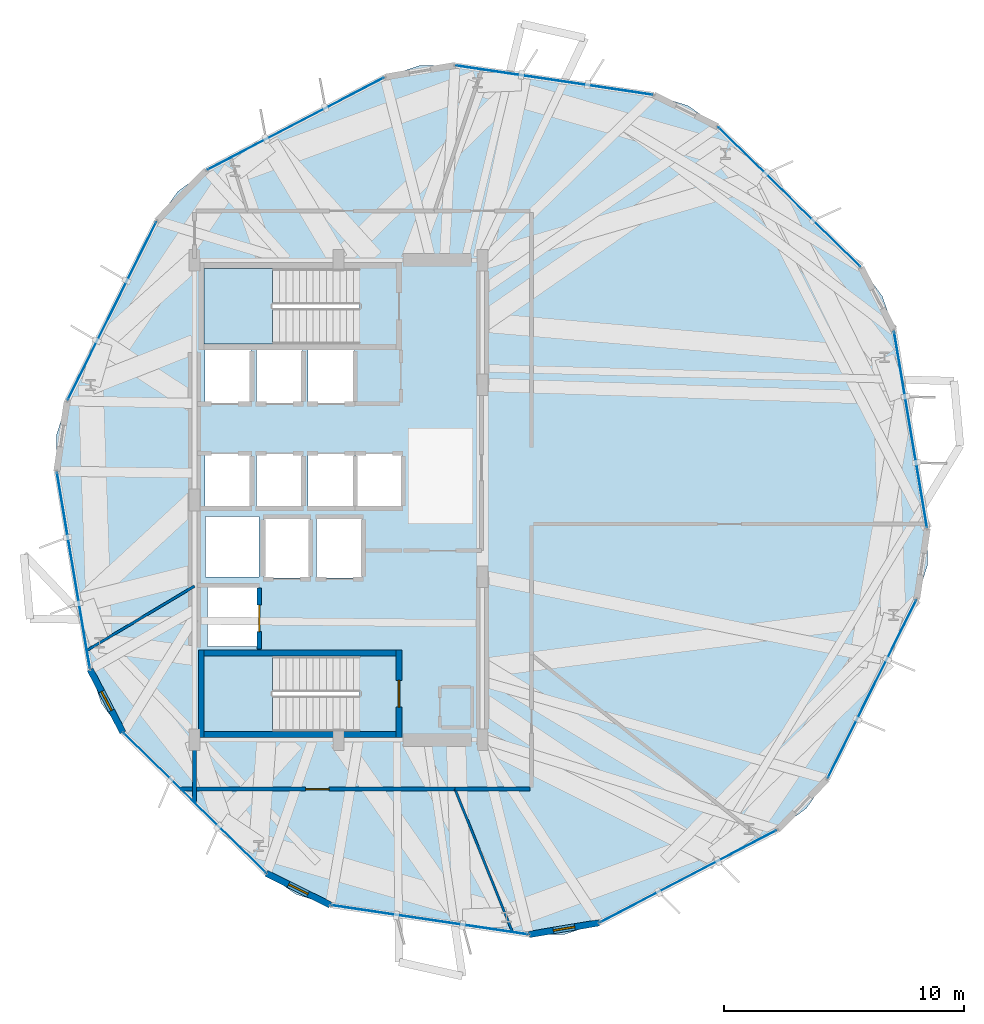
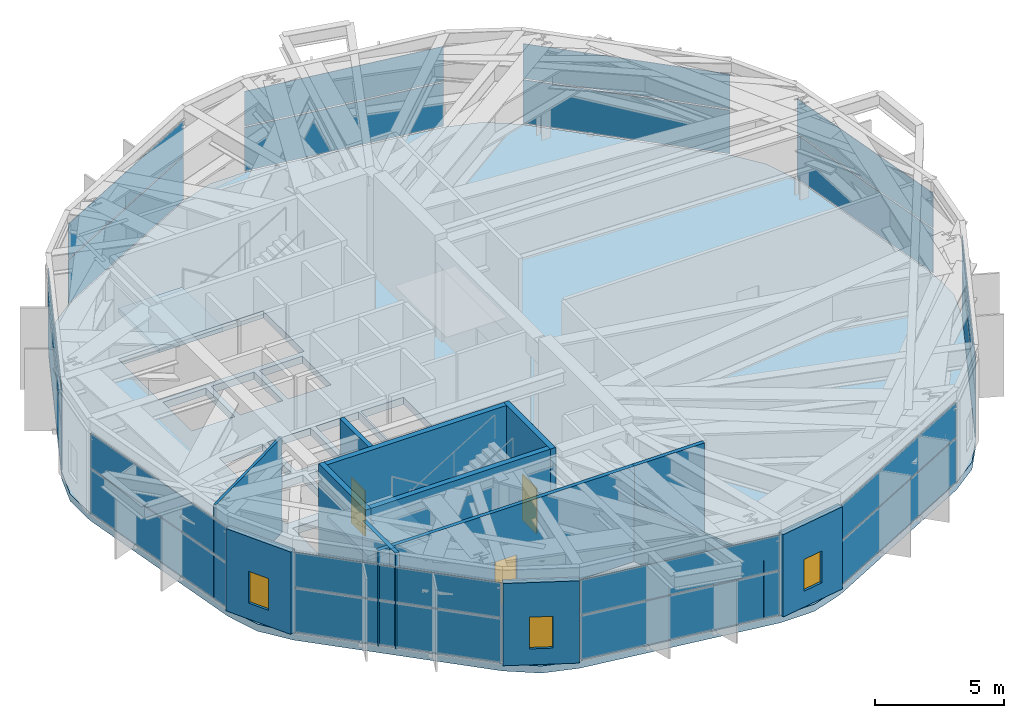
# One storey, part 21 of 27: 20 plates, 13 walls, 3 doors, 3 slabs, 3 windows, 6 openings, 12 elements without a shape of their own.
"""IFC4 building model written with IfcOpenShell, lengths in metres."""

from ifc_helpers import new_model, si_unit, direction, frame, frame_2d, origin, origin_2d, place, context, subcontext, project, spatial, polyline, rectangle, outline, extrude, material, layer, layer_set, type_object, element, fill, aggregate, save


model = new_model("IFC4")

# Units and contexts
model_context = context("Model", 3, precision=1e-05, world=origin(), true_north=direction((0.0, 1.0)))
body_context = subcontext(model_context, "Body", "Model", "MODEL_VIEW")
ifc_project = project(units=[si_unit("LENGTHUNIT", "METRE"), si_unit("AREAUNIT", "SQUARE_METRE"), si_unit("VOLUMEUNIT", "CUBIC_METRE"), si_unit("PLANEANGLEUNIT", "RADIAN"), si_unit("MASSUNIT", "GRAM", prefix="KILO")], contexts=[model_context])

# Site, building, storey
site_placement = place(None, origin())
site = spatial("IfcSite", under=ifc_project, at=site_placement, CompositionType="ELEMENT")
building_placement = place(site_placement, origin())
building = spatial("IfcBuilding", under=site, at=building_placement, Name="Soratama Intermodal Tower", CompositionType="ELEMENT")
storey_placement = place(building_placement, frame((0.0, 0.0, 134.199951171875)))
storey = spatial("IfcBuildingStorey", under=building, at=storey_placement, Name="L32", CompositionType="ELEMENT", Elevation=134.199951171875)

# Curtain wall, plates
ifc_material_1 = material(Name="Double-glazed aluminium curtain wall", Category="aluminium")
ifc_layer_1 = layer(ifc_material_1, 0.159912109375)
ifc_layer_set_1 = layer_set([ifc_layer_1], Name="Double-glazed aluminium curtain wall")
curtain_wall_type = type_object("IfcCurtainWallType", Name="CW-SYS-3", PredefinedType="NOTDEFINED", material=ifc_layer_set_1)
curtain_wall_1_placement = place(storey_placement, origin())
curtain_wall_1 = element("IfcCurtainWall", 1, at=curtain_wall_1_placement, inside=storey, type_object=curtain_wall_type, Name="L32 Faceted Curtain Wall F01", PredefinedType="NOTDEFINED")
ifc_material_2 = material(Name="Low-E laminated double glazing", Category="glass")
ifc_layer_2 = layer(ifc_material_2, 0.028076171875)
ifc_layer_set_2 = layer_set([ifc_layer_2], Name="Low-E laminated double glazing")
plate_type = type_object("IfcPlateType", Name="PT-CWP-3", PredefinedType="CURTAIN_PANEL", material=ifc_layer_set_2)
plate_1_placement = place(storey_placement, frame((57.389892578125, 37.625732421875, 0.06005859375), z_axis=(0.0, 0.0, 1.0), x_axis=(-0.713737137609, 0.700413662344, 0.0)))
plate_1 = element("IfcPlate", 2, at=plate_1_placement, type_object=plate_type, Name="CW-3 panel 1.1", PredefinedType="CURTAIN_PANEL", context=body_context, shape_type="SweptSolid", body=[
    extrude(rectangle(XDim=8.256103515625, YDim=0.028076171875, at=origin_2d()), origin(), (0.0, 0.0, 1.0), 2.06005859375),
])
plate_2_placement = place(storey_placement, frame((57.389892578125, 37.625732421875, 2.18017578125), z_axis=(0.0, 0.0, 1.0), x_axis=(-0.713737137609, 0.700413662344, 0.0)))
plate_2 = element("IfcPlate", 3, at=plate_2_placement, type_object=plate_type, Name="CW-3 panel 1.2", PredefinedType="CURTAIN_PANEL", context=body_context, shape_type="SweptSolid", body=[
    extrude(rectangle(XDim=8.256103515625, YDim=0.028076171875, at=origin_2d()), origin(), (0.0, 0.0, 1.0), 1.638916015625),
])
aggregate(curtain_wall_1, [plate_1, plate_2])

curtain_wall_2_placement = place(storey_placement, origin())
curtain_wall_2 = element("IfcCurtainWall", 4, at=curtain_wall_2_placement, inside=storey, type_object=curtain_wall_type, Name="L32 Faceted Curtain Wall F02", PredefinedType="NOTDEFINED")
plate_3_placement = place(storey_placement, frame((47.6025390625, 42.4970703125, 0.06005859375), z_axis=(0.0, 0.0, 1.0), x_axis=(-0.989118620825, 0.147120202345, 0.0)))
plate_3 = element("IfcPlate", 5, at=plate_3_placement, type_object=plate_type, Name="CW-3 panel 1.1", PredefinedType="CURTAIN_PANEL", context=body_context, shape_type="SweptSolid", body=[
    extrude(rectangle(XDim=8.256103515625, YDim=0.028076171875, at=origin_2d()), origin(), (0.0, 0.0, 1.0), 2.06005859375),
])
plate_4_placement = place(storey_placement, frame((47.6025390625, 42.4970703125, 2.18017578125), z_axis=(0.0, 0.0, 1.0), x_axis=(-0.989118620825, 0.147120202345, 0.0)))
plate_4 = element("IfcPlate", 6, at=plate_4_placement, type_object=plate_type, Name="CW-3 panel 1.2", PredefinedType="CURTAIN_PANEL", context=body_context, shape_type="SweptSolid", body=[
    extrude(rectangle(XDim=8.256103515625, YDim=0.028076171875, at=origin_2d()), origin(), (0.0, 0.0, 1.0), 1.638916015625),
])
aggregate(curtain_wall_2, [plate_3, plate_4])

curtain_wall_3_placement = place(storey_placement, origin())
curtain_wall_3 = element("IfcCurtainWall", 7, at=curtain_wall_3_placement, inside=storey, type_object=curtain_wall_type, Name="L32 Faceted Curtain Wall F03", PredefinedType="NOTDEFINED")
plate_5_placement = place(storey_placement, frame((36.82080078125, 40.685302734375, 0.06005859375), z_axis=(0.0, 0.0, 1.0), x_axis=(-0.886692961323, -0.462358726899, 0.0)))
plate_5 = element("IfcPlate", 8, at=plate_5_placement, type_object=plate_type, Name="CW-3 panel 1.1", PredefinedType="CURTAIN_PANEL", context=body_context, shape_type="SweptSolid", body=[
    extrude(rectangle(XDim=8.256103515625, YDim=0.028076171875, at=origin_2d()), origin(), (0.0, 0.0, 1.0), 2.06005859375),
])
plate_6_placement = place(storey_placement, frame((36.82080078125, 40.685302734375, 2.18017578125), z_axis=(0.0, 0.0, 1.0), x_axis=(-0.886692961323, -0.462358726899, 0.0)))
plate_6 = element("IfcPlate", 9, at=plate_6_placement, type_object=plate_type, Name="CW-3 panel 1.2", PredefinedType="CURTAIN_PANEL", context=body_context, shape_type="SweptSolid", body=[
    extrude(rectangle(XDim=8.256103515625, YDim=0.028076171875, at=origin_2d()), origin(), (0.0, 0.0, 1.0), 1.638916015625),
])
aggregate(curtain_wall_3, [plate_5, plate_6])

curtain_wall_4_placement = place(storey_placement, origin())
curtain_wall_4 = element("IfcCurtainWall", 10, at=curtain_wall_4_placement, inside=storey, type_object=curtain_wall_type, Name="L32 Faceted Curtain Wall F04", PredefinedType="NOTDEFINED")
plate_7_placement = place(storey_placement, frame((29.163330078125, 32.882080078125, 0.06005859375), z_axis=(0.0, 0.0, 1.0), x_axis=(-0.445570098456, -0.895247053814, 0.0)))
plate_7 = element("IfcPlate", 11, at=plate_7_placement, type_object=plate_type, Name="CW-3 panel 1.1", PredefinedType="CURTAIN_PANEL", context=body_context, shape_type="SweptSolid", body=[
    extrude(rectangle(XDim=8.25634765625, YDim=0.028076171875, at=origin_2d()), origin(), (0.0, 0.0, 1.0), 2.06005859375),
])
plate_8_placement = place(storey_placement, frame((29.163330078125, 32.882080078125, 2.18017578125), z_axis=(0.0, 0.0, 1.0), x_axis=(-0.445570098456, -0.895247053814, 0.0)))
plate_8 = element("IfcPlate", 12, at=plate_8_placement, type_object=plate_type, Name="CW-3 panel 1.2", PredefinedType="CURTAIN_PANEL", context=body_context, shape_type="SweptSolid", body=[
    extrude(rectangle(XDim=8.25634765625, YDim=0.028076171875, at=origin_2d()), origin(), (0.0, 0.0, 1.0), 1.638916015625),
])
aggregate(curtain_wall_4, [plate_7, plate_8])

curtain_wall_5_placement = place(storey_placement, origin())
curtain_wall_5 = element("IfcCurtainWall", 13, at=curtain_wall_5_placement, inside=storey, type_object=curtain_wall_type, Name="L32 Faceted Curtain Wall F05", PredefinedType="NOTDEFINED")
plate_9_placement = place(storey_placement, frame((27.554931640625, 22.068115234375, 0.06005859375), z_axis=(0.0, 0.0, 1.0), x_axis=(0.165730791125, -0.986171032262, 0.0)))
plate_9 = element("IfcPlate", 14, at=plate_9_placement, type_object=plate_type, Name="CW-3 panel 1.1", PredefinedType="CURTAIN_PANEL", context=body_context, shape_type="SweptSolid", body=[
    extrude(rectangle(XDim=8.25634765625, YDim=0.028076171875, at=origin_2d()), origin(), (0.0, 0.0, 1.0), 2.06005859375),
])
plate_10_placement = place(storey_placement, frame((27.554931640625, 22.068115234375, 2.18017578125), z_axis=(0.0, 0.0, 1.0), x_axis=(0.165730791125, -0.986171032262, 0.0)))
plate_10 = element("IfcPlate", 15, at=plate_10_placement, type_object=plate_type, Name="CW-3 panel 1.2", PredefinedType="CURTAIN_PANEL", context=body_context, shape_type="SweptSolid", body=[
    extrude(rectangle(XDim=8.25634765625, YDim=0.028076171875, at=origin_2d()), origin(), (0.0, 0.0, 1.0), 1.638916015625),
])
aggregate(curtain_wall_5, [plate_9, plate_10])

curtain_wall_6_placement = place(storey_placement, origin())
curtain_wall_6 = element("IfcCurtainWall", 16, at=curtain_wall_6_placement, inside=storey, type_object=curtain_wall_type, Name="L32 Faceted Curtain Wall F06", PredefinedType="NOTDEFINED")
plate_11_placement = place(storey_placement, frame((32.610107421875, 12.374267578125, 0.06005859375), z_axis=(0.0, 0.0, 1.0), x_axis=(0.713737137609, -0.700413662344, 0.0)))
plate_11 = element("IfcPlate", 17, at=plate_11_placement, type_object=plate_type, Name="CW-3 panel 1.1", PredefinedType="CURTAIN_PANEL", context=body_context, shape_type="SweptSolid", body=[
    extrude(rectangle(XDim=8.256103515625, YDim=0.028076171875, at=origin_2d()), origin(), (0.0, 0.0, 1.0), 2.06005859375),
])
plate_12_placement = place(storey_placement, frame((32.610107421875, 12.374267578125, 2.18017578125), z_axis=(0.0, 0.0, 1.0), x_axis=(0.713737137609, -0.700413662344, 0.0)))
plate_12 = element("IfcPlate", 18, at=plate_12_placement, type_object=plate_type, Name="CW-3 panel 1.2", PredefinedType="CURTAIN_PANEL", context=body_context, shape_type="SweptSolid", body=[
    extrude(rectangle(XDim=8.256103515625, YDim=0.028076171875, at=origin_2d()), origin(), (0.0, 0.0, 1.0), 1.638916015625),
])
aggregate(curtain_wall_6, [plate_11, plate_12])

curtain_wall_7_placement = place(storey_placement, origin())
curtain_wall_7 = element("IfcCurtainWall", 19, at=curtain_wall_7_placement, inside=storey, type_object=curtain_wall_type, Name="L32 Faceted Curtain Wall F07", PredefinedType="NOTDEFINED")
plate_13_placement = place(storey_placement, frame((42.3974609375, 7.5029296875, 0.06005859375), z_axis=(0.0, 0.0, 1.0), x_axis=(0.989118620825, -0.147120202345, 0.0)))
plate_13 = element("IfcPlate", 20, at=plate_13_placement, type_object=plate_type, Name="CW-3 panel 1.1", PredefinedType="CURTAIN_PANEL", context=body_context, shape_type="SweptSolid", body=[
    extrude(rectangle(XDim=8.256103515625, YDim=0.028076171875, at=origin_2d()), origin(), (0.0, 0.0, 1.0), 2.06005859375),
])
plate_14_placement = place(storey_placement, frame((42.3974609375, 7.5029296875, 2.18017578125), z_axis=(0.0, 0.0, 1.0), x_axis=(0.989118620825, -0.147120202345, 0.0)))
plate_14 = element("IfcPlate", 21, at=plate_14_placement, type_object=plate_type, Name="CW-3 panel 1.2", PredefinedType="CURTAIN_PANEL", context=body_context, shape_type="SweptSolid", body=[
    extrude(rectangle(XDim=8.256103515625, YDim=0.028076171875, at=origin_2d()), origin(), (0.0, 0.0, 1.0), 1.638916015625),
])
aggregate(curtain_wall_7, [plate_13, plate_14])

curtain_wall_8_placement = place(storey_placement, origin())
curtain_wall_8 = element("IfcCurtainWall", 22, at=curtain_wall_8_placement, inside=storey, type_object=curtain_wall_type, Name="L32 Faceted Curtain Wall F08", PredefinedType="NOTDEFINED")
plate_15_placement = place(storey_placement, frame((53.17919921875, 9.314697265625, 0.06005859375), z_axis=(0.0, 0.0, 1.0), x_axis=(0.886692961323, 0.462358726899, 0.0)))
plate_15 = element("IfcPlate", 23, at=plate_15_placement, type_object=plate_type, Name="CW-3 panel 1.1", PredefinedType="CURTAIN_PANEL", context=body_context, shape_type="SweptSolid", body=[
    extrude(rectangle(XDim=8.256103515625, YDim=0.028076171875, at=origin_2d()), origin(), (0.0, 0.0, 1.0), 2.06005859375),
])
plate_16_placement = place(storey_placement, frame((53.17919921875, 9.314697265625, 2.18017578125), z_axis=(0.0, 0.0, 1.0), x_axis=(0.886692961323, 0.462358726899, 0.0)))
plate_16 = element("IfcPlate", 24, at=plate_16_placement, type_object=plate_type, Name="CW-3 panel 1.2", PredefinedType="CURTAIN_PANEL", context=body_context, shape_type="SweptSolid", body=[
    extrude(rectangle(XDim=8.256103515625, YDim=0.028076171875, at=origin_2d()), origin(), (0.0, 0.0, 1.0), 1.638916015625),
])
aggregate(curtain_wall_8, [plate_15, plate_16])

curtain_wall_9_placement = place(storey_placement, origin())
curtain_wall_9 = element("IfcCurtainWall", 25, at=curtain_wall_9_placement, inside=storey, type_object=curtain_wall_type, Name="L32 Faceted Curtain Wall F09", PredefinedType="NOTDEFINED")
plate_17_placement = place(storey_placement, frame((60.836669921875, 17.117919921875, 0.06005859375), z_axis=(0.0, 0.0, 1.0), x_axis=(0.445570098456, 0.895247053814, 0.0)))
plate_17 = element("IfcPlate", 26, at=plate_17_placement, type_object=plate_type, Name="CW-3 panel 1.1", PredefinedType="CURTAIN_PANEL", context=body_context, shape_type="SweptSolid", body=[
    extrude(rectangle(XDim=8.25634765625, YDim=0.028076171875, at=origin_2d()), origin(), (0.0, 0.0, 1.0), 2.06005859375),
])
plate_18_placement = place(storey_placement, frame((60.836669921875, 17.117919921875, 2.18017578125), z_axis=(0.0, 0.0, 1.0), x_axis=(0.445570098456, 0.895247053814, 0.0)))
plate_18 = element("IfcPlate", 27, at=plate_18_placement, type_object=plate_type, Name="CW-3 panel 1.2", PredefinedType="CURTAIN_PANEL", context=body_context, shape_type="SweptSolid", body=[
    extrude(rectangle(XDim=8.25634765625, YDim=0.028076171875, at=origin_2d()), origin(), (0.0, 0.0, 1.0), 1.638916015625),
])
aggregate(curtain_wall_9, [plate_17, plate_18])

curtain_wall_10_placement = place(storey_placement, origin())
curtain_wall_10 = element("IfcCurtainWall", 28, at=curtain_wall_10_placement, inside=storey, type_object=curtain_wall_type, Name="L32 Faceted Curtain Wall F10", PredefinedType="NOTDEFINED")
plate_19_placement = place(storey_placement, frame((62.445068359375, 27.931884765625, 0.06005859375), z_axis=(0.0, 0.0, 1.0), x_axis=(-0.165730791125, 0.986171032262, 0.0)))
plate_19 = element("IfcPlate", 29, at=plate_19_placement, type_object=plate_type, Name="CW-3 panel 1.1", PredefinedType="CURTAIN_PANEL", context=body_context, shape_type="SweptSolid", body=[
    extrude(rectangle(XDim=8.25634765625, YDim=0.028076171875, at=origin_2d()), origin(), (0.0, 0.0, 1.0), 2.06005859375),
])
plate_20_placement = place(storey_placement, frame((62.445068359375, 27.931884765625, 2.18017578125), z_axis=(0.0, 0.0, 1.0), x_axis=(-0.165730791125, 0.986171032262, 0.0)))
plate_20 = element("IfcPlate", 30, at=plate_20_placement, type_object=plate_type, Name="CW-3 panel 1.2", PredefinedType="CURTAIN_PANEL", context=body_context, shape_type="SweptSolid", body=[
    extrude(rectangle(XDim=8.25634765625, YDim=0.028076171875, at=origin_2d()), origin(), (0.0, 0.0, 1.0), 1.638916015625),
])
aggregate(curtain_wall_10, [plate_19, plate_20])

# Stair, slab
ifc_material_3 = material(Name="Concrete f'c 42 MPa", Category="concrete")
stair_type = type_object("IfcStairType", Name="ST-CORE-DOGLEG", PredefinedType="HALF_TURN_STAIR", material=ifc_material_3)
stair_1_placement = place(storey_placement, origin())
stair_1 = element("IfcStair", 31, at=stair_1_placement, inside=storey, type_object=stair_type, Name="L32 ST-1", PredefinedType="HALF_TURN_STAIR")
ifc_material_4 = material(Name="Concrete f'c 42 MPa", Category="concrete")
ifc_layer_3 = layer(ifc_material_4, 0.219970703125)
ifc_layer_set_3 = layer_set([ifc_layer_3], Name="Concrete f'c 42 MPa")
slab_type_1 = type_object("IfcSlabType", Name="SL-STAIR-LAND", PredefinedType="LANDING", material=ifc_layer_set_3)
slab_1_placement = place(storey_placement, frame((0.0, 0.0, 2.199951171875)))
slab_1 = element("IfcSlab", 32, at=slab_1_placement, type_object=slab_type_1, Name="ST-1 landing 1", PredefinedType="LANDING", context=body_context, shape_type="SweptSolid", body=[
    extrude(outline(polyline([(35.860107421875, 18.5), (33.0, 18.5), (33.0, 15.35009765625), (35.860107421875, 15.35009765625), (35.860107421875, 18.5)])), origin(), (0.0, 0.0, 1.0), 0.2001953125),
])
aggregate(stair_1, [slab_1])

stair_2_placement = place(storey_placement, origin())
stair_2 = element("IfcStair", 33, at=stair_2_placement, inside=storey, type_object=stair_type, Name="L32 ST-2", PredefinedType="HALF_TURN_STAIR")
slab_2_placement = place(storey_placement, frame((0.0, 0.0, 2.199951171875)))
slab_2 = element("IfcSlab", 34, at=slab_2_placement, type_object=slab_type_1, Name="ST-2 landing 1", PredefinedType="LANDING", context=body_context, shape_type="SweptSolid", body=[
    extrude(outline(polyline([(35.860107421875, 34.64990234375), (33.0, 34.64990234375), (33.0, 31.5), (35.860107421875, 31.5), (35.860107421875, 34.64990234375)])), origin(), (0.0, 0.0, 1.0), 0.2001953125),
])
aggregate(stair_2, [slab_2])

# Slab
ifc_material_5 = material(Name="Concrete f'c 42 MPa", Category="concrete")
ifc_layer_4 = layer(ifc_material_5, 0.340087890625)
ifc_layer_set_4 = layer_set([ifc_layer_4], Name="Concrete f'c 42 MPa")
slab_type_2 = type_object("IfcSlabType", Name="SL-TRN-340", PredefinedType="FLOOR", material=ifc_layer_set_4)
slab_3_placement = place(storey_placement, frame((0.0, 0.0, -0.33984375)))
element("IfcSlab", 35, at=slab_3_placement, inside=storey, type_object=slab_type_2, Name="L32 Structural Floor Slab", PredefinedType="FLOOR", context=body_context, shape_type="SweptSolid", body=[
    extrude(outline(polyline([(61.7509765625, 32.06201171875), (61.2734375, 33.48583984375), (60.379150390625, 34.6923828125), (54.40087890625, 40.55908203125), (53.177490234375, 41.430419921875), (51.7451171875, 41.881103515625), (43.4599609375, 43.11328125), (41.958251953125, 43.09912109375), (40.534423828125, 42.62158203125), (33.107421875, 38.748779296875), (31.90087890625, 37.8544921875), (31.029541015625, 36.63134765625), (27.29736328125, 29.132568359375), (26.8466796875, 27.7001953125), (26.86083984375, 26.198486328125), (28.2490234375, 17.93798828125), (28.7265625, 16.51416015625), (29.620849609375, 15.3076171875), (35.59912109375, 9.44091796875), (36.822509765625, 8.569580078125), (38.2548828125, 8.118896484375), (46.5400390625, 6.88671875), (48.041748046875, 6.90087890625), (49.465576171875, 7.37841796875), (56.892578125, 11.251220703125), (58.09912109375, 12.1455078125), (58.970458984375, 13.36865234375), (62.70263671875, 20.867431640625), (63.1533203125, 22.2998046875), (63.13916015625, 23.801513671875), (61.7509765625, 32.06201171875)]), holes=[polyline([(33.0, 18.5), (33.0, 15.35009765625), (39.47509765625, 15.35009765625), (39.47509765625, 18.5), (33.0, 18.5)]), polyline([(35.260009765625, 18.889892578125), (35.260009765625, 21.409912109375), (33.139892578125, 21.409912109375), (33.139892578125, 18.889892578125), (35.260009765625, 18.889892578125)]), polyline([(33.050048828125, 21.800048828125), (35.280029296875, 21.800048828125), (35.280029296875, 24.320068359375), (33.050048828125, 24.320068359375), (33.050048828125, 21.800048828125)]), polyline([(34.9599609375, 26.909912109375), (33.0400390625, 26.909912109375), (33.0400390625, 24.68994140625), (34.9599609375, 24.68994140625), (34.9599609375, 26.909912109375)]), polyline([(37.110107421875, 24.68994140625), (37.110107421875, 26.909912109375), (35.18994140625, 26.909912109375), (35.18994140625, 24.68994140625), (37.110107421875, 24.68994140625)]), polyline([(34.9599609375, 29.0400390625), (34.9599609375, 31.260009765625), (33.0400390625, 31.260009765625), (33.0400390625, 29.0400390625), (34.9599609375, 29.0400390625)]), polyline([(37.110107421875, 31.260009765625), (35.18994140625, 31.260009765625), (35.18994140625, 29.0400390625), (37.110107421875, 29.0400390625), (37.110107421875, 31.260009765625)]), polyline([(37.409912109375, 21.739990234375), (37.409912109375, 24.260009765625), (35.489990234375, 24.260009765625), (35.489990234375, 21.739990234375), (37.409912109375, 21.739990234375)]), polyline([(39.610107421875, 21.739990234375), (39.610107421875, 24.260009765625), (37.68994140625, 24.260009765625), (37.68994140625, 21.739990234375), (39.610107421875, 21.739990234375)]), polyline([(39.260009765625, 24.68994140625), (39.260009765625, 26.909912109375), (37.340087890625, 26.909912109375), (37.340087890625, 24.68994140625), (39.260009765625, 24.68994140625)]), polyline([(41.260009765625, 24.68994140625), (41.260009765625, 26.909912109375), (39.340087890625, 26.909912109375), (39.340087890625, 24.68994140625), (41.260009765625, 24.68994140625)]), polyline([(39.260009765625, 29.0400390625), (39.260009765625, 31.260009765625), (37.340087890625, 31.260009765625), (37.340087890625, 29.0400390625), (39.260009765625, 29.0400390625)]), polyline([(39.47509765625, 34.64990234375), (33.0, 34.64990234375), (33.0, 31.5), (39.47509765625, 31.5), (39.47509765625, 34.64990234375)])]), origin(), (0.0, 0.0, 1.0), 0.33984375),
])

# Wall, opening, window
ifc_material_6 = material(Name="Concrete f'c 42 MPa", Category="concrete")
ifc_layer_5 = layer(ifc_material_6, 0.27001953125)
ifc_layer_set_5 = layer_set([ifc_layer_5], Name="Concrete f'c 42 MPa")
wall_type_1 = type_object("IfcWallType", Name="EW-CRN-270", PredefinedType="SOLIDWALL", material=ifc_layer_set_5)
wall_1_placement = place(storey_placement, frame((28.2490234375, 17.93798828125, 0.0), z_axis=(0.0, 0.0, 1.0), x_axis=(0.462422563067, -0.886659671558, 0.0)))
wall_1 = element("IfcWall", 36, at=wall_1_placement, inside=storey, type_object=wall_type_1, Name="L32 Corner Closure Wall 05", PredefinedType="SOLIDWALL", context=body_context, shape_type="SweptSolid", body=[
    extrude(rectangle(XDim=2.966552734375, YDim=0.27001953125, at=frame_2d((1.4833984375, 0.0))), origin(), (0.0, 0.0, 1.0), 3.879150390625),
])
opening_1_placement = place(wall_1_placement, frame((1.033203125, 0.0, 0.75)))
opening_1 = element("IfcOpeningElement", 37, at=opening_1_placement, cuts=wall_1, Name="Opening WN-6", PredefinedType="OPENING", context=body_context, shape_type="SweptSolid", body=[
    extrude(rectangle(XDim=0.89990234375, YDim=1.5, at=frame_2d((0.449951171875, 0.75))), frame((0.0, 0.14501953125, 0.0), z_axis=(0.0, -1.0, 0.0), x_axis=(1.0, 0.0, 0.0)), (0.0, 0.0, 1.0), 0.2900390625),
])
ifc_material_7 = material(Name="Double-glazed aluminium window", Category="aluminium")
window_type = type_object("IfcWindowType", Name="WN-FAC-900", PartitioningType="SINGLE_PANEL", PredefinedType="WINDOW", material=ifc_material_7)
window_1_placement = place(opening_1_placement, origin())
window_1 = element("IfcWindow", 38, at=window_1_placement, inside=storey, type_object=window_type, Name="L32 Corner Window 05", OverallHeight=1.5, OverallWidth=0.89990234375, PartitioningType="SINGLE_PANEL", PredefinedType="WINDOW", context=body_context, shape_type="SweptSolid", body=[
    extrude(rectangle(XDim=0.89990234375, YDim=1.5, at=frame_2d((0.449951171875, 0.75))), frame((0.0, 0.030029296875, 0.0), z_axis=(0.0, -1.0, 0.0), x_axis=(1.0, 0.0, 0.0)), (0.0, 0.0, 1.0), 0.06005859375),
])
fill(opening_1, window_1)

wall_2_placement = place(storey_placement, frame((35.59912109375, 9.44091796875, 0.0), z_axis=(0.0, 0.0, 1.0), x_axis=(0.895215836877, -0.445632814551, 0.0)))
wall_2 = element("IfcWall", 39, at=wall_2_placement, inside=storey, type_object=wall_type_1, Name="L32 Corner Closure Wall 06", PredefinedType="SOLIDWALL", context=body_context, shape_type="SweptSolid", body=[
    extrude(rectangle(XDim=2.966552734375, YDim=0.27001953125, at=frame_2d((1.4833984375, 0.0))), origin(), (0.0, 0.0, 1.0), 3.879150390625),
])
opening_2_placement = place(wall_2_placement, frame((1.033203125, 0.0, 0.75)))
opening_2 = element("IfcOpeningElement", 40, at=opening_2_placement, cuts=wall_2, Name="Opening WN-6", PredefinedType="OPENING", context=body_context, shape_type="SweptSolid", body=[
    extrude(rectangle(XDim=0.89990234375, YDim=1.5, at=frame_2d((0.449951171875, 0.75))), frame((0.0, 0.14501953125, 0.0), z_axis=(0.0, -1.0, 0.0), x_axis=(1.0, 0.0, 0.0)), (0.0, 0.0, 1.0), 0.2900390625),
])
window_2_placement = place(opening_2_placement, origin())
window_2 = element("IfcWindow", 41, at=window_2_placement, inside=storey, type_object=window_type, Name="L32 Corner Window 06", OverallHeight=1.5, OverallWidth=0.89990234375, PartitioningType="SINGLE_PANEL", PredefinedType="WINDOW", context=body_context, shape_type="SweptSolid", body=[
    extrude(rectangle(XDim=0.89990234375, YDim=1.5, at=frame_2d((0.449951171875, 0.75))), frame((0.0, 0.030029296875, 0.0), z_axis=(0.0, -1.0, 0.0), x_axis=(1.0, 0.0, 0.0)), (0.0, 0.0, 1.0), 0.06005859375),
])
fill(opening_2, window_2)

wall_3_placement = place(storey_placement, frame((46.5400390625, 6.88671875, 0.0), z_axis=(0.0, 0.0, 1.0), x_axis=(0.986168353547, 0.165746729871, 0.0)))
wall_3 = element("IfcWall", 42, at=wall_3_placement, inside=storey, type_object=wall_type_1, Name="L32 Corner Closure Wall 07", PredefinedType="SOLIDWALL", context=body_context, shape_type="SweptSolid", body=[
    extrude(rectangle(XDim=2.966552734375, YDim=0.27001953125, at=frame_2d((1.4833984375, 0.0))), origin(), (0.0, 0.0, 1.0), 3.879150390625),
])
opening_3_placement = place(wall_3_placement, frame((1.033203125, 0.0, 0.75)))
opening_3 = element("IfcOpeningElement", 43, at=opening_3_placement, cuts=wall_3, Name="Opening WN-6", PredefinedType="OPENING", context=body_context, shape_type="SweptSolid", body=[
    extrude(rectangle(XDim=0.89990234375, YDim=1.5, at=frame_2d((0.449951171875, 0.75))), frame((0.0, 0.14501953125, 0.0), z_axis=(0.0, -1.0, 0.0), x_axis=(1.0, 0.0, 0.0)), (0.0, 0.0, 1.0), 0.2900390625),
])
window_3_placement = place(opening_3_placement, origin())
window_3 = element("IfcWindow", 44, at=window_3_placement, inside=storey, type_object=window_type, Name="L32 Corner Window 07", OverallHeight=1.5, OverallWidth=0.89990234375, PartitioningType="SINGLE_PANEL", PredefinedType="WINDOW", context=body_context, shape_type="SweptSolid", body=[
    extrude(rectangle(XDim=0.89990234375, YDim=1.5, at=frame_2d((0.449951171875, 0.75))), frame((0.0, 0.030029296875, 0.0), z_axis=(0.0, -1.0, 0.0), x_axis=(1.0, 0.0, 0.0)), (0.0, 0.0, 1.0), 0.06005859375),
])
fill(opening_3, window_3)

# Wall, opening, door
ifc_material_8 = material(Name="Fire-rated gypsum stud partition", Category="concrete")
ifc_layer_6 = layer(ifc_material_8, 0.169921875)
ifc_layer_set_6 = layer_set([ifc_layer_6], Name="Fire-rated gypsum stud partition")
wall_type_2 = type_object("IfcWallType", Name="IW-PART-R170", PredefinedType="PARTITIONING", material=ifc_layer_set_6)
wall_4_placement = place(storey_placement, frame((43.455078125, 12.949951171875, 0.0), z_axis=(0.0, 0.0, 1.0), x_axis=(-1.0, 0.0, 0.0)))
wall_4 = element("IfcWall", 45, at=wall_4_placement, inside=storey, type_object=wall_type_2, Name="L32 Partition W-L32-TP003", PredefinedType="PARTITIONING", context=body_context, shape_type="SweptSolid", body=[
    extrude(rectangle(XDim=11.43212890625, YDim=0.169921875, at=frame_2d((5.716064453125, 0.0))), origin(), (0.0, 0.0, 1.0), 4.5),
])
opening_4_placement = place(wall_4_placement, frame((5.240966796875, 0.0, 0.0)))
opening_4 = element("IfcOpeningElement", 46, at=opening_4_placement, cuts=wall_4, Name="Opening ID-5", PredefinedType="OPENING", context=body_context, shape_type="SweptSolid", body=[
    extrude(rectangle(XDim=0.97998046875, YDim=2.14990234375, at=frame_2d((0.489990234375, 1.074951171875))), frame((0.0, 0.094970703125, 0.0), z_axis=(0.0, -1.0, 0.0), x_axis=(1.0, 0.0, 0.0)), (0.0, 0.0, 1.0), 0.18994140625),
])
ifc_material_9 = material(Name="Solid hardwood acoustic door", Category="wood")
door_type_1 = type_object("IfcDoorType", Name="DR-OFF-980", OperationType="NOTDEFINED", PredefinedType="DOOR", material=ifc_material_9)
door_1_placement = place(opening_4_placement, origin())
door_1 = element("IfcDoor", 47, at=door_1_placement, inside=storey, type_object=door_type_1, Name="L32 Door D-L32-TP002", OperationType="SINGLE_SWING_LEFT", OverallHeight=2.14990234375, OverallWidth=0.97998046875, PredefinedType="DOOR", context=body_context, shape_type="SweptSolid", body=[
    extrude(rectangle(XDim=0.97998046875, YDim=2.14990234375, at=frame_2d((0.489990234375, 1.074951171875))), frame((0.0, 0.02490234375, 0.0), z_axis=(0.0, -1.0, 0.0), x_axis=(1.0, 0.0, 0.0)), (0.0, 0.0, 1.0), 0.050048828125),
])
fill(opening_4, door_1)

# Walls
wall_5_placement = place(storey_placement, frame((46.580078125, 12.949951171875, 0.0), z_axis=(0.0, 0.0, 1.0), x_axis=(-1.0, 0.0, 0.0)))
element("IfcWall", 48, at=wall_5_placement, inside=storey, type_object=wall_type_2, Name="L32 Partition W-L32-TP013", PredefinedType="PARTITIONING", context=body_context, shape_type="SweptSolid", body=[
    extrude(rectangle(XDim=3.125, YDim=0.169921875, at=frame_2d((1.5625, 0.0))), origin(), (0.0, 0.0, 1.0), 4.5),
])
wall_6_placement = place(storey_placement, frame((32.60009765625, 12.384033203125, 0.0), z_axis=(0.0, 0.0, 1.0), x_axis=(0.0, 1.0, 0.0)))
element("IfcWall", 49, at=wall_6_placement, inside=storey, type_object=wall_type_2, Name="L32 Partition W-L32-TP014", PredefinedType="PARTITIONING", context=body_context, shape_type="SweptSolid", body=[
    extrude(rectangle(XDim=2.5458984375, YDim=0.169921875, at=frame_2d((1.27294921875, 0.0))), origin(), (0.0, 0.0, 1.0), 4.5),
])
ifc_material_10 = material(Name="Fire-rated gypsum stud partition", Category="concrete")
ifc_layer_7 = layer(ifc_material_10, 0.10009765625)
ifc_layer_set_7 = layer_set([ifc_layer_7], Name="Fire-rated gypsum stud partition")
wall_type_3 = type_object("IfcWallType", Name="IW-PART-S100", PredefinedType="PARTITIONING", material=ifc_layer_set_7)
wall_7_placement = place(storey_placement, frame((43.455078125, 12.949951171875, 0.0), z_axis=(0.0, 0.0, 1.0), x_axis=(0.373812359394, -0.927504350375, 0.0)))
element("IfcWall", 50, at=wall_7_placement, inside=storey, type_object=wall_type_3, Name="L32 Partition W-L32-TP006", PredefinedType="PARTITIONING", context=body_context, shape_type="SweptSolid", body=[
    extrude(rectangle(XDim=6.427978515625, YDim=0.10009765625, at=frame_2d((3.2138671875, 0.0))), origin(), (0.0, 0.0, 1.0), 2.7900390625),
])
ifc_material_11 = material(Name="Fire-rated gypsum stud partition", Category="concrete")
ifc_layer_8 = layer(ifc_material_11, 0.110107421875)
ifc_layer_set_8 = layer_set([ifc_layer_8], Name="Fire-rated gypsum stud partition")
wall_type_4 = type_object("IfcWallType", Name="IW-PART-S110", PredefinedType="PARTITIONING", material=ifc_layer_set_8)
wall_8_placement = place(storey_placement, frame((32.60009765625, 21.410888671875, 0.0), z_axis=(0.0, 0.0, 1.0), x_axis=(-0.858300031482, -0.513148181287, 0.0)))
element("IfcWall", 51, at=wall_8_placement, inside=storey, type_object=wall_type_4, Name="L32 Partition W-L32-TP010", PredefinedType="PARTITIONING", context=body_context, shape_type="SweptSolid", body=[
    extrude(rectangle(XDim=5.224365234375, YDim=0.110107421875, at=frame_2d((2.6123046875, 0.0))), origin(), (0.0, 0.0, 1.0), 4.5),
])

# Wall, opening, door
ifc_material_12 = material(Name="Concrete f'c 42 MPa", Category="concrete")
ifc_layer_9 = layer(ifc_material_12, 0.199951171875)
ifc_layer_set_9 = layer_set([ifc_layer_9], Name="Concrete f'c 42 MPa")
wall_type_5 = type_object("IfcWallType", Name="IW-SHAFT-200", PredefinedType="SOLIDWALL", material=ifc_layer_set_9)
wall_9_placement = place(storey_placement, frame((35.300048828125, 18.7900390625, 0.0), z_axis=(0.0, 0.0, 1.0), x_axis=(0.0, 1.0, 0.0)))
wall_9 = element("IfcWall", 52, at=wall_9_placement, inside=storey, type_object=wall_type_5, Name="L32 SVL-1 Hoistway Wall E", PredefinedType="SOLIDWALL", context=body_context, shape_type="SweptSolid", body=[
    extrude(rectangle(XDim=2.550048828125, YDim=0.199951171875, at=frame_2d((1.27490234375, 0.0))), origin(), (0.0, 0.0, 1.0), 4.5),
])
opening_5_placement = place(wall_9_placement, frame((0.72509765625, 0.0, 0.0)))
opening_5 = element("IfcOpeningElement", 53, at=opening_5_placement, cuts=wall_9, Name="Opening LD-1", PredefinedType="OPENING", context=body_context, shape_type="SweptSolid", body=[
    extrude(rectangle(XDim=1.10009765625, YDim=2.14990234375, at=frame_2d((0.550048828125, 1.074951171875))), frame((0.0, 0.10986328125, 0.0), z_axis=(0.0, -1.0, 0.0), x_axis=(1.0, 0.0, 0.0)), (0.0, 0.0, 1.0), 0.219970703125),
])
ifc_material_13 = material(Name="Steel fire door", Category="steel")
door_type_2 = type_object("IfcDoorType", Name="DR-LIFT-SLIDE", OperationType="NOTDEFINED", PredefinedType="DOOR", material=ifc_material_13)
door_2_placement = place(opening_5_placement, origin())
door_2 = element("IfcDoor", 54, at=door_2_placement, inside=storey, type_object=door_type_2, Name="L32 SVL-1 Sliding Landing Door", OperationType="SLIDING_TO_LEFT", OverallHeight=2.14990234375, OverallWidth=1.10009765625, PredefinedType="DOOR", context=body_context, shape_type="SweptSolid", body=[
    extrude(rectangle(XDim=1.10009765625, YDim=2.14990234375, at=frame_2d((0.550048828125, 1.074951171875))), frame((0.0, 0.02490234375, 0.0), z_axis=(0.0, -1.0, 0.0), x_axis=(1.0, 0.0, 0.0)), (0.0, 0.0, 1.0), 0.050048828125),
])
fill(opening_5, door_2)

# Wall
ifc_material_14 = material(Name="Concrete f'c 56 MPa", Category="concrete")
ifc_layer_10 = layer(ifc_material_14, 0.239990234375)
ifc_layer_set_10 = layer_set([ifc_layer_10], Name="Concrete f'c 56 MPa")
wall_type_6 = type_object("IfcWallType", Name="SW-STAIR-240", PredefinedType="SHEAR", material=ifc_layer_set_10)
wall_10_placement = place(storey_placement, frame((32.8798828125, 15.110107421875, 0.0), z_axis=(0.0, 0.0, 1.0), x_axis=(0.0, 1.0, 0.0)))
element("IfcWall", 55, at=wall_10_placement, inside=storey, type_object=wall_type_6, Name="L32 ST-1 Shaft Shear Wall W", PredefinedType="SHEAR", context=body_context, shape_type="SweptSolid", body=[
    extrude(rectangle(XDim=3.6298828125, YDim=0.239990234375, at=frame_2d((1.81494140625, 0.0))), origin(), (0.0, 0.0, 1.0), 4.800048828125),
])

# Wall, opening, door
wall_11_placement = place(storey_placement, frame((41.1201171875, 15.110107421875, 0.0), z_axis=(0.0, 0.0, 1.0), x_axis=(0.0, 1.0, 0.0)))
wall_11 = element("IfcWall", 56, at=wall_11_placement, inside=storey, type_object=wall_type_6, Name="L32 ST-1 Shaft Shear Wall E", PredefinedType="SHEAR", context=body_context, shape_type="SweptSolid", body=[
    extrude(rectangle(XDim=3.6298828125, YDim=0.239990234375, at=frame_2d((1.81494140625, 0.0))), origin(), (0.0, 0.0, 1.0), 4.800048828125),
])
opening_6_placement = place(wall_11_placement, frame((1.2548828125, 0.0, 0.0)))
opening_6 = element("IfcOpeningElement", 57, at=opening_6_placement, cuts=wall_11, Name="Opening SD-1", PredefinedType="OPENING", context=body_context, shape_type="SweptSolid", body=[
    extrude(rectangle(XDim=1.1201171875, YDim=2.14990234375, at=frame_2d((0.56005859375, 1.074951171875))), frame((0.0, 0.1298828125, 0.0), z_axis=(0.0, -1.0, 0.0), x_axis=(1.0, 0.0, 0.0)), (0.0, 0.0, 1.0), 0.260009765625),
])
ifc_material_15 = material(Name="Steel fire door", Category="steel")
door_type_3 = type_object("IfcDoorType", Name="DR-STAIR-FD90", OperationType="NOTDEFINED", PredefinedType="DOOR", material=ifc_material_15)
door_3_placement = place(opening_6_placement, origin())
door_3 = element("IfcDoor", 58, at=door_3_placement, inside=storey, type_object=door_type_3, Name="L32 ST-1 Exit Stair Door", OperationType="SINGLE_SWING_LEFT", OverallHeight=2.14990234375, OverallWidth=1.1201171875, PredefinedType="DOOR", context=body_context, shape_type="SweptSolid", body=[
    extrude(rectangle(XDim=1.1201171875, YDim=2.14990234375, at=frame_2d((0.56005859375, 1.074951171875))), frame((0.0, 0.02490234375, 0.0), z_axis=(0.0, -1.0, 0.0), x_axis=(1.0, 0.0, 0.0)), (0.0, 0.0, 1.0), 0.050048828125),
])
fill(opening_6, door_3)

# Walls
for number, where, z_axis, x_axis, name in (
    (59, (33.0, 15.22998046875, 0.0), (0.0, 0.0, 1.0), (1.0, 0.0, 0.0), "L32 ST-1 Shaft Shear Wall S"),
    (60, (33.0, 18.6201171875, 0.0), (0.0, 0.0, 1.0), (1.0, 0.0, 0.0), "L32 ST-1 Shaft Shear Wall N"),
):
    element("IfcWall", number, at=place(storey_placement, frame(where, z_axis=z_axis, x_axis=x_axis)), inside=storey, type_object=wall_type_6, Name=name, PredefinedType="SHEAR", context=body_context, shape_type="SweptSolid", body=[
        extrude(rectangle(XDim=8.0, YDim=0.239990234375, at=frame_2d((4.0, 0.0))), origin(), (0.0, 0.0, 1.0), 4.800048828125),
    ])

save(model, "model.ifc")
